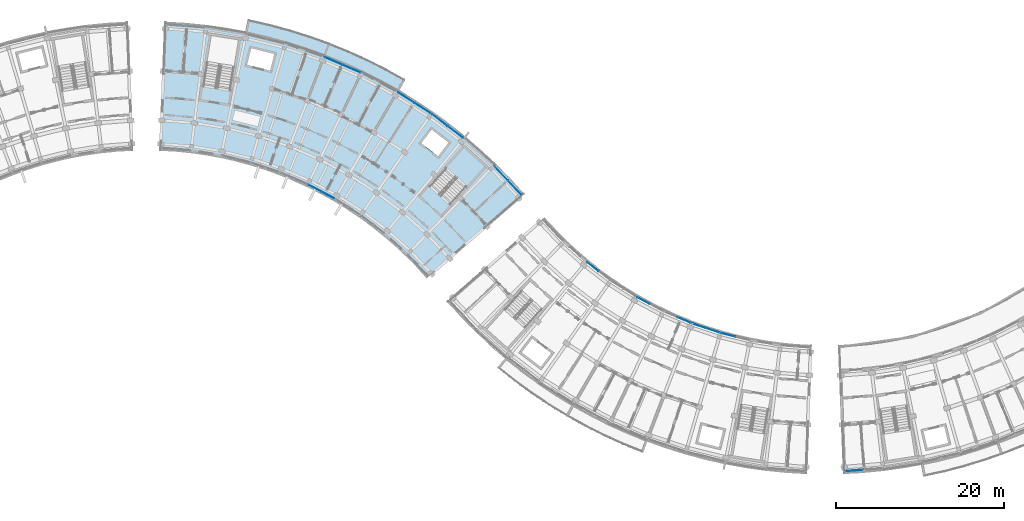
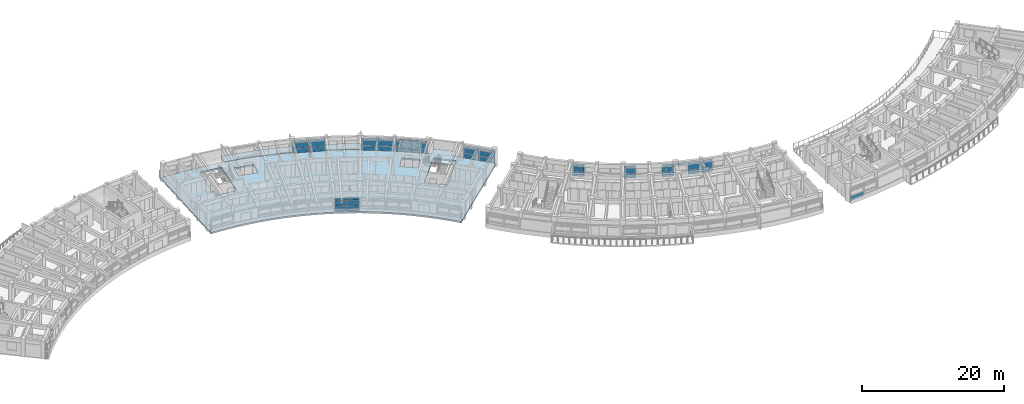
# One storey, part 24 of 54: 47 plates, 3 slabs, 12 elements without a shape of their own.
"""IFC4 building model written with IfcOpenShell, lengths in metres."""

import ifcopenshell
import ifcopenshell.guid

model = None  # the IFC model being written
_history = None  # IfcOwnerHistory: only IFC2X3 demands one
_inside = {}  # id of a spatial element -> (the spatial element, [elements in it])
_under = {}  # id of a project, library or spatial element -> (it, [spatial elements below it])
_declared = {}  # id of a project -> (the project, [libraries it declares])
_typed = {}  # id of a type object -> (the type object, [elements of that type])
_made_of = {}  # id of a material, layer set ... -> (it, [elements and type objects made of it])


def new_model(schema):
    """Start an empty IFC model of exactly this schema.

    Asked for "IFC4X3", IfcOpenShell would pick the latest addendum, in which some entities
    have other attributes; the version numbers below select the first issue.
    IFC2X3 requires an IfcOwnerHistory on every rooted entity: one is made here for all.
    """
    global model, _history
    if schema == "IFC4X3":
        model = ifcopenshell.file(schema_version=(4, 3, 0, 0))
    else:
        model = ifcopenshell.file(schema=schema)
    _inside.clear()
    _under.clear()
    _declared.clear()
    _typed.clear()
    _made_of.clear()
    _history = None
    if model.schema == "IFC2X3":
        org = make("IfcOrganization", Name="unknown")
        user = make(
            "IfcPersonAndOrganization",
            ThePerson=make("IfcPerson", FamilyName="unknown"),
            TheOrganization=org,
        )
        app = make(
            "IfcApplication",
            ApplicationDeveloper=org,
            Version="unknown",
            ApplicationFullName="unknown",
            ApplicationIdentifier="unknown",
        )
        _history = make(
            "IfcOwnerHistory",
            OwningUser=user,
            OwningApplication=app,
            ChangeAction="ADDED",
            CreationDate=0,
        )
    return model


def make(cls, **values):
    """One entity of the class cls with the attributes given. An attribute that is None is left unset."""
    return model.create_entity(
        cls, **{name: value for name, value in values.items() if value is not None}
    )


def rooted(cls, **values):
    """An entity with a GlobalId (a new one), such as an element, a storey or a relation."""
    return make(cls, GlobalId=ifcopenshell.guid.new(), OwnerHistory=_history, **values)


def si_unit(unit_type, name, prefix=None):
    """IfcSIUnit, for example si_unit("LENGTHUNIT", "METRE", prefix="MILLI")."""
    return make("IfcSIUnit", UnitType=unit_type, Prefix=prefix, Name=name)


def assignment(units):
    """IfcUnitAssignment: the units of a project."""
    return None if units is None else make("IfcUnitAssignment", Units=units)


def point(xyz):
    """IfcCartesianPoint."""
    return None if xyz is None else make("IfcCartesianPoint", Coordinates=xyz)


def direction(xyz):
    """IfcDirection."""
    return None if xyz is None else make("IfcDirection", DirectionRatios=xyz)


def frame(location, z_axis=None, x_axis=None):
    """IfcAxis2Placement3D, a coordinate frame: its origin and axes. An axis left out is left unset."""
    return make(
        "IfcAxis2Placement3D",
        Location=point(location),
        Axis=direction(z_axis),
        RefDirection=direction(x_axis),
    )


def frame_2d(location, x_axis=None):
    """IfcAxis2Placement2D, a coordinate frame in the plane: its origin and x axis."""
    return make(
        "IfcAxis2Placement2D", Location=point(location), RefDirection=direction(x_axis)
    )


def origin():
    """The frame at (0, 0, 0) with its axes left unset."""
    return frame((0.0, 0.0, 0.0))


def origin_2d():
    """The frame at (0, 0) in the plane with its x axis left unset."""
    return frame_2d((0.0, 0.0))


def place(relative_to, where):
    """IfcLocalPlacement: puts the frame where relative to a parent placement (None: the world)."""
    return make(
        "IfcLocalPlacement", PlacementRelTo=relative_to, RelativePlacement=where
    )


def context(
    kind, dimensions, precision=None, world=None, true_north=None, identifier=None
):
    """IfcGeometricRepresentationContext, for example the 3D "Model" context."""
    return make(
        "IfcGeometricRepresentationContext",
        ContextIdentifier=identifier,
        ContextType=kind,
        CoordinateSpaceDimension=dimensions,
        Precision=precision,
        WorldCoordinateSystem=world,
        TrueNorth=true_north,
    )


def subcontext(parent, identifier, kind, view, scale=None):
    """IfcGeometricRepresentationSubContext, for example "Body" below "Model"."""
    return make(
        "IfcGeometricRepresentationSubContext",
        ContextIdentifier=identifier,
        ContextType=kind,
        ParentContext=parent,
        TargetScale=scale,
        TargetView=view,
    )


def project(units=None, contexts=None):
    """IfcProject with its units and contexts."""
    return rooted(
        "IfcProject",
        Name="project",
        RepresentationContexts=contexts,
        UnitsInContext=assignment(units),
    )


def spatial(cls, under=None, at=None, **own):
    """A site, building, storey or space (cls), placed at a placement, below another one or the project."""
    s = rooted(cls, ObjectPlacement=at, **own)
    if under is not None:
        _under.setdefault(under.id(), (under, []))[1].append(s)
    return s


def polyline(points):
    """IfcPolyline through the points."""
    return make("IfcPolyline", Points=[point(p) for p in points])


def profile(cls, at=None, kind="AREA", **sizes):
    """A parametric profile (cls). Its sizes go by their IFC names, for example OverallWidth=200.0."""
    return make(cls, ProfileType=kind, Position=at, **sizes)


def rectangle(**sizes):
    """IfcRectangleProfileDef."""
    return profile("IfcRectangleProfileDef", **sizes)


def outline(outer, holes=None, kind="AREA"):
    """IfcArbitraryClosedProfileDef: a profile drawn as a closed curve; with holes, ...WithVoids."""
    if holes is None:
        return make("IfcArbitraryClosedProfileDef", ProfileType=kind, OuterCurve=outer)
    return make(
        "IfcArbitraryProfileDefWithVoids",
        ProfileType=kind,
        OuterCurve=outer,
        InnerCurves=holes,
    )


def extrude(swept, where, along, depth):
    """IfcExtrudedAreaSolid: the profile swept, set in the frame where, extruded along a direction by depth."""
    return make(
        "IfcExtrudedAreaSolid",
        SweptArea=swept,
        Position=where,
        ExtrudedDirection=direction(along),
        Depth=depth,
    )


def shape(context_of_items, identifier, shape_type, items):
    """IfcShapeRepresentation: the items that make up one representation, for example the "Body"."""
    return make(
        "IfcShapeRepresentation",
        ContextOfItems=context_of_items,
        RepresentationIdentifier=identifier,
        RepresentationType=shape_type,
        Items=items,
    )


def material(Name=None, Category=None):
    """IfcMaterial."""
    return make("IfcMaterial", Name=Name, Category=Category)


def layer(
    of_material, thickness, ventilated=None, Name=None, Category=None, Priority=None
):
    """IfcMaterialLayer: one layer of a wall or slab, of a material (None: an air gap)."""
    return make(
        "IfcMaterialLayer",
        Material=of_material,
        LayerThickness=thickness,
        IsVentilated=ventilated,
        Name=Name,
        Category=Category,
        Priority=Priority,
    )


def layer_set(layers, Name=None):
    """IfcMaterialLayerSet."""
    return make("IfcMaterialLayerSet", MaterialLayers=layers, LayerSetName=Name)


def made_of(thing, what):
    """Note that an element or type object is made of a material, layer set ...; save() writes the relation."""
    if what is not None:
        _made_of.setdefault(what.id(), (what, []))[1].append(thing)
    return thing


def type_object(cls, material=None, **own):
    """A type object (cls), such as IfcWallType, which elements share."""
    return made_of(rooted(cls, **own), material)


def element(
    cls,
    number,
    at=None,
    inside=None,
    cuts=None,
    type_object=None,
    material=None,
    context=None,
    identifier="Body",
    shape_type=None,
    held_by="IfcProductDefinitionShape",
    body=None,
    shapes=None,
    **own,
):
    """One element of the class cls, such as IfcWall. Its Tag is "e" and its number.

    at: its placement. inside: the storey or other place that contains it. cuts: it is an
    opening in that element (IfcRelVoidsElement). A single representation is given by context,
    identifier, shape_type and body (its items); several are given by shapes. held_by: the class
    of the entity that holds the representations. save() writes the other relations.
    """
    e = rooted(cls, Tag="e%d" % number, ObjectPlacement=at, **own)
    if body is not None:
        shapes = [shape(context, identifier, shape_type, body)]
    if shapes is not None:
        e.Representation = make(held_by, Representations=shapes)
    if inside is not None:
        _inside.setdefault(inside.id(), (inside, []))[1].append(e)
    if cuts is not None:
        rooted(
            "IfcRelVoidsElement", RelatingBuildingElement=cuts, RelatedOpeningElement=e
        )
    if type_object is not None:
        _typed.setdefault(type_object.id(), (type_object, []))[1].append(e)
    return made_of(e, material)


def aggregate(whole, parts):
    """IfcRelAggregates: a whole, such as a stair, and the parts it consists of."""
    return rooted("IfcRelAggregates", RelatingObject=whole, RelatedObjects=parts)


def save(model, path):
    """Write the relations noted so far, then the file.

    IfcRelAggregates (storeys below a building ...), IfcRelContainedInSpatialStructure (elements
    in a storey), IfcRelDefinesByType, IfcRelAssociatesMaterial and IfcRelDeclares: one each for
    every whole, place, type object, material and project.
    """
    for whole, parts in _under.values():
        aggregate(whole, parts)
    for where, things in _inside.values():
        rooted(
            "IfcRelContainedInSpatialStructure",
            RelatedElements=things,
            RelatingStructure=where,
        )
    for kind, things in _typed.values():
        rooted("IfcRelDefinesByType", RelatedObjects=things, RelatingType=kind)
    for what, things in _made_of.values():
        rooted("IfcRelAssociatesMaterial", RelatedObjects=things, RelatingMaterial=what)
    for by, libraries in _declared.values():
        rooted("IfcRelDeclares", RelatingContext=by, RelatedDefinitions=libraries)
    model.write(path)


model = new_model("IFC4")

# Units and contexts
model_context = context("Model", 3, precision=1e-05, world=origin(), true_north=direction((0.0, 1.0)))
body_context = subcontext(model_context, "Body", "Model", "MODEL_VIEW")
ifc_project = project(units=[si_unit("LENGTHUNIT", "METRE"), si_unit("AREAUNIT", "SQUARE_METRE"), si_unit("VOLUMEUNIT", "CUBIC_METRE"), si_unit("PLANEANGLEUNIT", "RADIAN"), si_unit("MASSUNIT", "GRAM", prefix="KILO")], contexts=[model_context])

# Site, building, storey
site_placement = place(None, origin())
site = spatial("IfcSite", under=ifc_project, at=site_placement, CompositionType="ELEMENT")
building_placement = place(site_placement, origin())
building = spatial("IfcBuilding", under=site, at=building_placement, Name="Zimvara Arc Housing Community", CompositionType="ELEMENT")
storey_placement = place(building_placement, frame((0.0, 0.0, 20.5)))
storey = spatial("IfcBuildingStorey", under=building, at=storey_placement, Name="L06", CompositionType="ELEMENT", Elevation=20.5)

# Curtain wall, plates
ifc_material_1 = material(Name="Anodised Aluminium AW-6063", Category="aluminium")
curtain_wall_type_1 = type_object("IfcCurtainWallType", Name="CW-SYS-08", PredefinedType="USERDEFINED", material=ifc_material_1)
curtain_wall_1_placement = place(storey_placement, origin())
curtain_wall_1 = element("IfcCurtainWall", 1, at=curtain_wall_1_placement, inside=storey, type_object=curtain_wall_type_1, Name="cw:blkB:L06:in:b5", ObjectType="CURTAIN WALL", PredefinedType="USERDEFINED")
ifc_material_2 = material(Name="Pale-Gold Anodised Aluminium Spandrel Panel", Category="aluminium")
ifc_layer_1 = layer(ifc_material_2, 0.035888671875)
ifc_layer_set_1 = layer_set([ifc_layer_1], Name="Pale-Gold Anodised Aluminium Spandrel Panel")
plate_type_1 = type_object("IfcPlateType", Name="CWP-GLD-36", PredefinedType="CURTAIN_PANEL", material=ifc_layer_set_1)
plate_1_placement = place(storey_placement, frame((65.125244140625, 84.291259765625, 0.06494140625), z_axis=(0.0, 0.0, 1.0), x_axis=(0.88343981815, -0.468544648573, 0.0)))
plate_1 = element("IfcPlate", 2, at=plate_1_placement, type_object=plate_type_1, Name="CW08 panel 1.1", PredefinedType="CURTAIN_PANEL", context=body_context, shape_type="SweptSolid", body=[
    extrude(rectangle(XDim=1.664306640625, YDim=0.035888671875, at=origin_2d()), origin(), (0.0, 0.0, 1.0), 0.75244140625),
])
plate_2_placement = place(storey_placement, frame((65.125244140625, 84.291259765625, 0.88232421875), z_axis=(0.0, 0.0, 1.0), x_axis=(0.88343981815, -0.468544648573, 0.0)))
plate_2 = element("IfcPlate", 3, at=plate_2_placement, type_object=plate_type_1, Name="CW08 panel 1.2", PredefinedType="CURTAIN_PANEL", context=body_context, shape_type="SweptSolid", body=[
    extrude(rectangle(XDim=1.664306640625, YDim=0.035888671875, at=origin_2d()), origin(), (0.0, 0.0, 1.0), 0.885009765625),
])
plate_3_placement = place(storey_placement, frame((65.125244140625, 84.291259765625, 1.83251953125), z_axis=(0.0, 0.0, 1.0), x_axis=(0.88343981815, -0.468544648573, 0.0)))
plate_3 = element("IfcPlate", 4, at=plate_3_placement, type_object=plate_type_1, Name="CW08 panel 1.3", PredefinedType="CURTAIN_PANEL", context=body_context, shape_type="SweptSolid", body=[
    extrude(rectangle(XDim=1.664306640625, YDim=0.035888671875, at=origin_2d()), origin(), (0.0, 0.0, 1.0), 0.3525390625),
])
plate_4_placement = place(storey_placement, frame((66.653076171875, 83.48095703125, 0.06494140625), z_axis=(0.0, 0.0, 1.0), x_axis=(0.88343981815, -0.468544648573, 0.0)))
plate_4 = element("IfcPlate", 5, at=plate_4_placement, type_object=plate_type_1, Name="CW08 panel 2.1", PredefinedType="CURTAIN_PANEL", context=body_context, shape_type="SweptSolid", body=[
    extrude(rectangle(XDim=1.664306640625, YDim=0.035888671875, at=origin_2d()), origin(), (0.0, 0.0, 1.0), 0.75244140625),
])
plate_5_placement = place(storey_placement, frame((66.653076171875, 83.48095703125, 0.88232421875), z_axis=(0.0, 0.0, 1.0), x_axis=(0.88343981815, -0.468544648573, 0.0)))
plate_5 = element("IfcPlate", 6, at=plate_5_placement, type_object=plate_type_1, Name="CW08 panel 2.2", PredefinedType="CURTAIN_PANEL", context=body_context, shape_type="SweptSolid", body=[
    extrude(rectangle(XDim=1.664306640625, YDim=0.035888671875, at=origin_2d()), origin(), (0.0, 0.0, 1.0), 0.885009765625),
])
plate_6_placement = place(storey_placement, frame((66.653076171875, 83.48095703125, 1.83251953125), z_axis=(0.0, 0.0, 1.0), x_axis=(0.88343981815, -0.468544648573, 0.0)))
plate_6 = element("IfcPlate", 7, at=plate_6_placement, type_object=plate_type_1, Name="CW08 panel 2.3", PredefinedType="CURTAIN_PANEL", context=body_context, shape_type="SweptSolid", body=[
    extrude(rectangle(XDim=1.664306640625, YDim=0.035888671875, at=origin_2d()), origin(), (0.0, 0.0, 1.0), 0.3525390625),
])
aggregate(curtain_wall_1, [plate_1, plate_2, plate_3, plate_4, plate_5, plate_6])

curtain_wall_2_placement = place(storey_placement, origin())
curtain_wall_2 = element("IfcCurtainWall", 8, at=curtain_wall_2_placement, inside=storey, type_object=curtain_wall_type_1, Name="cw:blkC:L06:in:b2", ObjectType="CURTAIN WALL", PredefinedType="USERDEFINED")
plate_7_placement = place(storey_placement, frame((98.275634765625, 74.91943359375, 0.06494140625), z_axis=(0.0, 0.0, 1.0), x_axis=(0.795473543119, -0.605988318533, 0.0)))
plate_7 = element("IfcPlate", 9, at=plate_7_placement, type_object=plate_type_1, Name="CW08 panel 1.1", PredefinedType="CURTAIN_PANEL", context=body_context, shape_type="SweptSolid", body=[
    extrude(rectangle(XDim=1.664306640625, YDim=0.035888671875, at=origin_2d()), origin(), (0.0, 0.0, 1.0), 0.75244140625),
])
plate_8_placement = place(storey_placement, frame((98.275634765625, 74.91943359375, 0.88232421875), z_axis=(0.0, 0.0, 1.0), x_axis=(0.795473543119, -0.605988318533, 0.0)))
plate_8 = element("IfcPlate", 10, at=plate_8_placement, type_object=plate_type_1, Name="CW08 panel 1.2", PredefinedType="CURTAIN_PANEL", context=body_context, shape_type="SweptSolid", body=[
    extrude(rectangle(XDim=1.664306640625, YDim=0.035888671875, at=origin_2d()), origin(), (0.0, 0.0, 1.0), 0.885009765625),
])
plate_9_placement = place(storey_placement, frame((98.275634765625, 74.91943359375, 1.83251953125), z_axis=(0.0, 0.0, 1.0), x_axis=(0.795473543119, -0.605988318533, 0.0)))
plate_9 = element("IfcPlate", 11, at=plate_9_placement, type_object=plate_type_1, Name="CW08 panel 1.3", PredefinedType="CURTAIN_PANEL", context=body_context, shape_type="SweptSolid", body=[
    extrude(rectangle(XDim=1.664306640625, YDim=0.035888671875, at=origin_2d()), origin(), (0.0, 0.0, 1.0), 0.3525390625),
])
aggregate(curtain_wall_2, [plate_7, plate_8, plate_9])

ifc_material_3 = material(Name="Anodised Aluminium AW-6063", Category="aluminium")
curtain_wall_type_2 = type_object("IfcCurtainWallType", Name="CW-SYS-04", PredefinedType="USERDEFINED", material=ifc_material_3)
curtain_wall_3_placement = place(storey_placement, origin())
curtain_wall_3 = element("IfcCurtainWall", 12, at=curtain_wall_3_placement, inside=storey, type_object=curtain_wall_type_2, Name="cw:blkC:L06:in:b5", ObjectType="CURTAIN WALL", PredefinedType="USERDEFINED")
plate_10_placement = place(storey_placement, frame((109.16845703125, 68.559326171875, 0.06494140625), z_axis=(0.0, 0.0, 1.0), x_axis=(0.918722178415, -0.394904493375, 0.0)))
plate_10 = element("IfcPlate", 13, at=plate_10_placement, type_object=plate_type_1, Name="CW04 panel 2.1", PredefinedType="CURTAIN_PANEL", context=body_context, shape_type="SweptSolid", body=[
    extrude(rectangle(XDim=1.664306640625, YDim=0.035888671875, at=origin_2d()), origin(), (0.0, 0.0, 1.0), 0.75244140625),
])
plate_11_placement = place(storey_placement, frame((109.16845703125, 68.559326171875, 0.88232421875), z_axis=(0.0, 0.0, 1.0), x_axis=(0.918722178415, -0.394904493375, 0.0)))
plate_11 = element("IfcPlate", 14, at=plate_11_placement, type_object=plate_type_1, Name="CW04 panel 2.2", PredefinedType="CURTAIN_PANEL", context=body_context, shape_type="SweptSolid", body=[
    extrude(rectangle(XDim=1.664306640625, YDim=0.035888671875, at=origin_2d()), origin(), (0.0, 0.0, 1.0), 0.885009765625),
])
plate_12_placement = place(storey_placement, frame((109.16845703125, 68.559326171875, 1.83251953125), z_axis=(0.0, 0.0, 1.0), x_axis=(0.918722178415, -0.394904493375, 0.0)))
plate_12 = element("IfcPlate", 15, at=plate_12_placement, type_object=plate_type_1, Name="CW04 panel 2.3", PredefinedType="CURTAIN_PANEL", context=body_context, shape_type="SweptSolid", body=[
    extrude(rectangle(XDim=1.664306640625, YDim=0.035888671875, at=origin_2d()), origin(), (0.0, 0.0, 1.0), 0.3525390625),
])
aggregate(curtain_wall_3, [plate_10, plate_11, plate_12])

curtain_wall_4_placement = place(storey_placement, origin())
curtain_wall_4 = element("IfcCurtainWall", 16, at=curtain_wall_4_placement, inside=storey, type_object=curtain_wall_type_1, Name="cw:blkC:L06:in:b7", ObjectType="CURTAIN WALL", PredefinedType="USERDEFINED")
plate_13_placement = place(storey_placement, frame((114.4306640625, 66.79052734375, 0.06494140625), z_axis=(0.0, 0.0, 1.0), x_axis=(0.970716537698, -0.240227815706, 0.0)))
plate_13 = element("IfcPlate", 17, at=plate_13_placement, type_object=plate_type_1, Name="CW08 panel 1.1", PredefinedType="CURTAIN_PANEL", context=body_context, shape_type="SweptSolid", body=[
    extrude(rectangle(XDim=1.664306640625, YDim=0.035888671875, at=origin_2d()), origin(), (0.0, 0.0, 1.0), 0.75244140625),
])
plate_14_placement = place(storey_placement, frame((114.4306640625, 66.79052734375, 0.88232421875), z_axis=(0.0, 0.0, 1.0), x_axis=(0.970716537698, -0.240227815706, 0.0)))
plate_14 = element("IfcPlate", 18, at=plate_14_placement, type_object=plate_type_1, Name="CW08 panel 1.2", PredefinedType="CURTAIN_PANEL", context=body_context, shape_type="SweptSolid", body=[
    extrude(rectangle(XDim=1.664306640625, YDim=0.035888671875, at=origin_2d()), origin(), (0.0, 0.0, 1.0), 0.885009765625),
])
plate_15_placement = place(storey_placement, frame((114.4306640625, 66.79052734375, 1.83251953125), z_axis=(0.0, 0.0, 1.0), x_axis=(0.970716537698, -0.240227815706, 0.0)))
plate_15 = element("IfcPlate", 19, at=plate_15_placement, type_object=plate_type_1, Name="CW08 panel 1.3", PredefinedType="CURTAIN_PANEL", context=body_context, shape_type="SweptSolid", body=[
    extrude(rectangle(XDim=1.664306640625, YDim=0.035888671875, at=origin_2d()), origin(), (0.0, 0.0, 1.0), 0.3525390625),
])
aggregate(curtain_wall_4, [plate_13, plate_14, plate_15])

ifc_material_4 = material(Name="Anodised Aluminium AW-6063", Category="aluminium")
curtain_wall_type_3 = type_object("IfcCurtainWallType", Name="CW-SYS-01", PredefinedType="USERDEFINED", material=ifc_material_4)
curtain_wall_5_placement = place(storey_placement, origin())
curtain_wall_5 = element("IfcCurtainWall", 20, at=curtain_wall_5_placement, inside=storey, type_object=curtain_wall_type_3, Name="cw:blkB:L06:out:b6", ObjectType="CURTAIN WALL", PredefinedType="USERDEFINED")
ifc_material_5 = material(Name="Solar Control Low-E Double Glazing", Category="glass")
ifc_layer_2 = layer(ifc_material_5, 0.02392578125)
ifc_layer_set_2 = layer_set([ifc_layer_2], Name="Solar Control Low-E Double Glazing")
plate_type_2 = type_object("IfcPlateType", Name="CWP-GLZ-24", PredefinedType="CURTAIN_PANEL", material=ifc_layer_set_2)
plate_16_placement = place(storey_placement, frame((76.0009765625, 95.1005859375, 0.06494140625), z_axis=(0.0, 0.0, 1.0), x_axis=(0.842264410931, -0.539064617721, 0.0)))
plate_16 = element("IfcPlate", 21, at=plate_16_placement, type_object=plate_type_2, Name="CW01 panel 1.1", PredefinedType="CURTAIN_PANEL", context=body_context, shape_type="SweptSolid", body=[
    extrude(rectangle(XDim=2.266845703125, YDim=0.02392578125, at=origin_2d()), origin(), (0.0, 0.0, 1.0), 0.75244140625),
])
plate_17_placement = place(storey_placement, frame((76.0009765625, 95.1005859375, 0.88232421875), z_axis=(0.0, 0.0, 1.0), x_axis=(0.842264410931, -0.539064617721, 0.0)))
plate_17 = element("IfcPlate", 22, at=plate_17_placement, type_object=plate_type_2, Name="CW01 panel 1.2", PredefinedType="CURTAIN_PANEL", context=body_context, shape_type="SweptSolid", body=[
    extrude(rectangle(XDim=2.266845703125, YDim=0.02392578125, at=origin_2d()), origin(), (0.0, 0.0, 1.0), 0.885009765625),
])
plate_18_placement = place(storey_placement, frame((76.0009765625, 95.1005859375, 1.83251953125), z_axis=(0.0, 0.0, 1.0), x_axis=(0.842264410931, -0.539064617721, 0.0)))
plate_18 = element("IfcPlate", 23, at=plate_18_placement, type_object=plate_type_2, Name="CW01 panel 1.3", PredefinedType="CURTAIN_PANEL", context=body_context, shape_type="SweptSolid", body=[
    extrude(rectangle(XDim=2.266845703125, YDim=0.02392578125, at=origin_2d()), origin(), (0.0, 0.0, 1.0), 0.3525390625),
])
plate_19_placement = place(storey_placement, frame((77.965087890625, 93.843505859375, 0.06494140625), z_axis=(0.0, 0.0, 1.0), x_axis=(0.842264410931, -0.539064617721, 0.0)))
plate_19 = element("IfcPlate", 24, at=plate_19_placement, type_object=plate_type_2, Name="CW01 panel 2.1", PredefinedType="CURTAIN_PANEL", context=body_context, shape_type="SweptSolid", body=[
    extrude(rectangle(XDim=2.266845703125, YDim=0.02392578125, at=origin_2d()), origin(), (0.0, 0.0, 1.0), 0.75244140625),
])
plate_20_placement = place(storey_placement, frame((77.965087890625, 93.843505859375, 0.88232421875), z_axis=(0.0, 0.0, 1.0), x_axis=(0.842264410931, -0.539064617721, 0.0)))
plate_20 = element("IfcPlate", 25, at=plate_20_placement, type_object=plate_type_2, Name="CW01 panel 2.2", PredefinedType="CURTAIN_PANEL", context=body_context, shape_type="SweptSolid", body=[
    extrude(rectangle(XDim=2.266845703125, YDim=0.02392578125, at=origin_2d()), origin(), (0.0, 0.0, 1.0), 0.885009765625),
])
plate_21_placement = place(storey_placement, frame((77.965087890625, 93.843505859375, 1.83251953125), z_axis=(0.0, 0.0, 1.0), x_axis=(0.842264410931, -0.539064617721, 0.0)))
plate_21 = element("IfcPlate", 26, at=plate_21_placement, type_object=plate_type_2, Name="CW01 panel 2.3", PredefinedType="CURTAIN_PANEL", context=body_context, shape_type="SweptSolid", body=[
    extrude(rectangle(XDim=2.266845703125, YDim=0.02392578125, at=origin_2d()), origin(), (0.0, 0.0, 1.0), 0.3525390625),
])
aggregate(curtain_wall_5, [plate_16, plate_17, plate_18, plate_19, plate_20, plate_21])

ifc_material_6 = material(Name="Anodised Aluminium AW-6063", Category="aluminium")
curtain_wall_type_4 = type_object("IfcCurtainWallType", Name="CW-SYS-05", PredefinedType="USERDEFINED", material=ifc_material_6)
curtain_wall_6_placement = place(storey_placement, origin())
curtain_wall_6 = element("IfcCurtainWall", 27, at=curtain_wall_6_placement, inside=storey, type_object=curtain_wall_type_4, Name="cw:blkB:L06:out:b9", ObjectType="CURTAIN WALL", PredefinedType="USERDEFINED")
plate_22_placement = place(storey_placement, frame((87.350341796875, 86.068115234375, 0.06494140625), z_axis=(0.0, 0.0, 1.0), x_axis=(0.686326416495, -0.727293647725, 0.0)))
plate_22 = element("IfcPlate", 28, at=plate_22_placement, type_object=plate_type_2, Name="CW05 panel 1.1", PredefinedType="CURTAIN_PANEL", context=body_context, shape_type="SweptSolid", body=[
    extrude(rectangle(XDim=2.266845703125, YDim=0.02392578125, at=origin_2d()), origin(), (0.0, 0.0, 1.0), 0.75244140625),
])
plate_23_placement = place(storey_placement, frame((87.350341796875, 86.068115234375, 0.88232421875), z_axis=(0.0, 0.0, 1.0), x_axis=(0.686326416495, -0.727293647725, 0.0)))
plate_23 = element("IfcPlate", 29, at=plate_23_placement, type_object=plate_type_2, Name="CW05 panel 1.2", PredefinedType="CURTAIN_PANEL", context=body_context, shape_type="SweptSolid", body=[
    extrude(rectangle(XDim=2.266845703125, YDim=0.02392578125, at=origin_2d()), origin(), (0.0, 0.0, 1.0), 0.885009765625),
])
plate_24_placement = place(storey_placement, frame((87.350341796875, 86.068115234375, 1.83251953125), z_axis=(0.0, 0.0, 1.0), x_axis=(0.686326416495, -0.727293647725, 0.0)))
plate_24 = element("IfcPlate", 30, at=plate_24_placement, type_object=plate_type_2, Name="CW05 panel 1.3", PredefinedType="CURTAIN_PANEL", context=body_context, shape_type="SweptSolid", body=[
    extrude(rectangle(XDim=2.266845703125, YDim=0.02392578125, at=origin_2d()), origin(), (0.0, 0.0, 1.0), 0.3525390625),
])
plate_25_placement = place(storey_placement, frame((88.950927734375, 84.3720703125, 0.06494140625), z_axis=(0.0, 0.0, 1.0), x_axis=(0.686326416495, -0.727293647725, 0.0)))
plate_25 = element("IfcPlate", 31, at=plate_25_placement, type_object=plate_type_2, Name="CW05 panel 2.1", PredefinedType="CURTAIN_PANEL", context=body_context, shape_type="SweptSolid", body=[
    extrude(rectangle(XDim=2.266845703125, YDim=0.02392578125, at=origin_2d()), origin(), (0.0, 0.0, 1.0), 0.75244140625),
])
plate_26_placement = place(storey_placement, frame((88.950927734375, 84.3720703125, 0.88232421875), z_axis=(0.0, 0.0, 1.0), x_axis=(0.686326416495, -0.727293647725, 0.0)))
plate_26 = element("IfcPlate", 32, at=plate_26_placement, type_object=plate_type_2, Name="CW05 panel 2.2", PredefinedType="CURTAIN_PANEL", context=body_context, shape_type="SweptSolid", body=[
    extrude(rectangle(XDim=2.266845703125, YDim=0.02392578125, at=origin_2d()), origin(), (0.0, 0.0, 1.0), 0.885009765625),
])
plate_27_placement = place(storey_placement, frame((88.950927734375, 84.3720703125, 1.83251953125), z_axis=(0.0, 0.0, 1.0), x_axis=(0.686326416495, -0.727293647725, 0.0)))
plate_27 = element("IfcPlate", 33, at=plate_27_placement, type_object=plate_type_2, Name="CW05 panel 2.3", PredefinedType="CURTAIN_PANEL", context=body_context, shape_type="SweptSolid", body=[
    extrude(rectangle(XDim=2.266845703125, YDim=0.02392578125, at=origin_2d()), origin(), (0.0, 0.0, 1.0), 0.3525390625),
])
aggregate(curtain_wall_6, [plate_22, plate_23, plate_24, plate_25, plate_26, plate_27])

# Curtain wall, plate
curtain_wall_7_placement = place(storey_placement, origin())
curtain_wall_7 = element("IfcCurtainWall", 34, at=curtain_wall_7_placement, inside=storey, type_object=curtain_wall_type_4, Name="cw:blkD:L06:out:b0", ObjectType="CURTAIN WALL", PredefinedType="USERDEFINED")
plate_28_placement = place(storey_placement, frame((129.4677734375, 50.61767578125, 0.06494140625), z_axis=(0.0, 0.0, 1.0), x_axis=(0.996985387849, 0.077589538059, 0.0)))
plate_28 = element("IfcPlate", 35, at=plate_28_placement, type_object=plate_type_2, Name="CW05 panel 1.1", PredefinedType="CURTAIN_PANEL", context=body_context, shape_type="SweptSolid", body=[
    extrude(rectangle(XDim=2.173828125, YDim=0.02392578125, at=origin_2d()), origin(), (0.0, 0.0, 1.0), 0.75244140625),
])
aggregate(curtain_wall_7, [plate_28])

# Curtain wall, plates
ifc_material_7 = material(Name="Anodised Aluminium AW-6063", Category="aluminium")
curtain_wall_type_5 = type_object("IfcCurtainWallType", Name="CW-SYS-06", PredefinedType="USERDEFINED", material=ifc_material_7)
curtain_wall_8_placement = place(storey_placement, origin())
curtain_wall_8 = element("IfcCurtainWall", 36, at=curtain_wall_8_placement, inside=storey, type_object=curtain_wall_type_5, Name="cw:blkB:L06:out:b4", ObjectType="CURTAIN WALL", PredefinedType="USERDEFINED")
ifc_material_8 = material(Name="Solar Control Low-E Double Glazing", Category="glass")
ifc_layer_3 = layer(ifc_material_8, 0.028076171875)
ifc_layer_set_3 = layer_set([ifc_layer_3], Name="Solar Control Low-E Double Glazing")
plate_type_3 = type_object("IfcPlateType", Name="CWP-GLZ-28", PredefinedType="CURTAIN_PANEL", material=ifc_layer_set_3)
plate_29_placement = place(storey_placement, frame((67.358642578125, 99.46875, 0.06494140625), z_axis=(0.0, 0.0, 1.0), x_axis=(0.918722299363, -0.394904211998, 0.0)))
plate_29 = element("IfcPlate", 37, at=plate_29_placement, type_object=plate_type_3, Name="CW06 panel 1.1", PredefinedType="CURTAIN_PANEL", context=body_context, shape_type="SweptSolid", body=[
    extrude(rectangle(XDim=2.266845703125, YDim=0.028076171875, at=origin_2d()), origin(), (0.0, 0.0, 1.0), 0.75244140625),
])
plate_30_placement = place(storey_placement, frame((67.358642578125, 99.46875, 0.88232421875), z_axis=(0.0, 0.0, 1.0), x_axis=(0.918722299363, -0.394904211998, 0.0)))
plate_30 = element("IfcPlate", 38, at=plate_30_placement, type_object=plate_type_3, Name="CW06 panel 1.2", PredefinedType="CURTAIN_PANEL", context=body_context, shape_type="SweptSolid", body=[
    extrude(rectangle(XDim=2.266845703125, YDim=0.028076171875, at=origin_2d()), origin(), (0.0, 0.0, 1.0), 0.885009765625),
])
plate_31_placement = place(storey_placement, frame((67.358642578125, 99.46875, 1.83251953125), z_axis=(0.0, 0.0, 1.0), x_axis=(0.918722299363, -0.394904211998, 0.0)))
plate_31 = element("IfcPlate", 39, at=plate_31_placement, type_object=plate_type_3, Name="CW06 panel 1.3", PredefinedType="CURTAIN_PANEL", context=body_context, shape_type="SweptSolid", body=[
    extrude(rectangle(XDim=2.266845703125, YDim=0.028076171875, at=origin_2d()), origin(), (0.0, 0.0, 1.0), 0.3525390625),
])
plate_32_placement = place(storey_placement, frame((69.5009765625, 98.5478515625, 0.06494140625), z_axis=(0.0, 0.0, 1.0), x_axis=(0.918722299363, -0.394904211998, 0.0)))
plate_32 = element("IfcPlate", 40, at=plate_32_placement, type_object=plate_type_3, Name="CW06 panel 2.1", PredefinedType="CURTAIN_PANEL", context=body_context, shape_type="SweptSolid", body=[
    extrude(rectangle(XDim=2.266845703125, YDim=0.028076171875, at=origin_2d()), origin(), (0.0, 0.0, 1.0), 0.75244140625),
])
plate_33_placement = place(storey_placement, frame((69.5009765625, 98.5478515625, 0.88232421875), z_axis=(0.0, 0.0, 1.0), x_axis=(0.918722299363, -0.394904211998, 0.0)))
plate_33 = element("IfcPlate", 41, at=plate_33_placement, type_object=plate_type_3, Name="CW06 panel 2.2", PredefinedType="CURTAIN_PANEL", context=body_context, shape_type="SweptSolid", body=[
    extrude(rectangle(XDim=2.266845703125, YDim=0.028076171875, at=origin_2d()), origin(), (0.0, 0.0, 1.0), 0.885009765625),
])
plate_34_placement = place(storey_placement, frame((69.5009765625, 98.5478515625, 1.83251953125), z_axis=(0.0, 0.0, 1.0), x_axis=(0.918722299363, -0.394904211998, 0.0)))
plate_34 = element("IfcPlate", 42, at=plate_34_placement, type_object=plate_type_3, Name="CW06 panel 2.3", PredefinedType="CURTAIN_PANEL", context=body_context, shape_type="SweptSolid", body=[
    extrude(rectangle(XDim=2.266845703125, YDim=0.028076171875, at=origin_2d()), origin(), (0.0, 0.0, 1.0), 0.3525390625),
])
aggregate(curtain_wall_8, [plate_29, plate_30, plate_31, plate_32, plate_33, plate_34])

curtain_wall_9_placement = place(storey_placement, origin())
curtain_wall_9 = element("IfcCurtainWall", 43, at=curtain_wall_9_placement, inside=storey, type_object=curtain_wall_type_5, Name="cw:blkC:L06:in:b6", ObjectType="CURTAIN WALL", PredefinedType="USERDEFINED")
plate_35_placement = place(storey_placement, frame((110.955078125, 67.87646484375, 1.83251953125), z_axis=(0.0, 0.0, 1.0), x_axis=(0.94787908732, -0.318630249383, 0.0)))
plate_35 = element("IfcPlate", 44, at=plate_35_placement, type_object=plate_type_3, Name="CW06 panel 1.3", PredefinedType="CURTAIN_PANEL", context=body_context, shape_type="SweptSolid", body=[
    extrude(rectangle(XDim=1.664306640625, YDim=0.028076171875, at=origin_2d()), origin(), (0.0, 0.0, 1.0), 0.3525390625),
])
plate_36_placement = place(storey_placement, frame((112.59423828125, 67.325439453125, 0.06494140625), z_axis=(0.0, 0.0, 1.0), x_axis=(0.94787908732, -0.318630249383, 0.0)))
plate_36 = element("IfcPlate", 45, at=plate_36_placement, type_object=plate_type_3, Name="CW06 panel 2.1", PredefinedType="CURTAIN_PANEL", context=body_context, shape_type="SweptSolid", body=[
    extrude(rectangle(XDim=1.664306640625, YDim=0.028076171875, at=origin_2d()), origin(), (0.0, 0.0, 1.0), 0.75244140625),
])
plate_37_placement = place(storey_placement, frame((112.59423828125, 67.325439453125, 0.88232421875), z_axis=(0.0, 0.0, 1.0), x_axis=(0.94787908732, -0.318630249383, 0.0)))
plate_37 = element("IfcPlate", 46, at=plate_37_placement, type_object=plate_type_3, Name="CW06 panel 2.2", PredefinedType="CURTAIN_PANEL", context=body_context, shape_type="SweptSolid", body=[
    extrude(rectangle(XDim=1.664306640625, YDim=0.028076171875, at=origin_2d()), origin(), (0.0, 0.0, 1.0), 0.885009765625),
])
plate_38_placement = place(storey_placement, frame((112.59423828125, 67.325439453125, 1.83251953125), z_axis=(0.0, 0.0, 1.0), x_axis=(0.94787908732, -0.318630249383, 0.0)))
plate_38 = element("IfcPlate", 47, at=plate_38_placement, type_object=plate_type_3, Name="CW06 panel 2.3", PredefinedType="CURTAIN_PANEL", context=body_context, shape_type="SweptSolid", body=[
    extrude(rectangle(XDim=1.664306640625, YDim=0.028076171875, at=origin_2d()), origin(), (0.0, 0.0, 1.0), 0.3525390625),
])
aggregate(curtain_wall_9, [plate_35, plate_36, plate_37, plate_38])

ifc_material_9 = material(Name="Anodised Aluminium AW-6063", Category="aluminium")
curtain_wall_type_6 = type_object("IfcCurtainWallType", Name="CW-SYS-03", PredefinedType="USERDEFINED", material=ifc_material_9)
curtain_wall_10_placement = place(storey_placement, origin())
curtain_wall_10 = element("IfcCurtainWall", 48, at=curtain_wall_10_placement, inside=storey, type_object=curtain_wall_type_6, Name="cw:blkB:L06:out:b7", ObjectType="CURTAIN WALL", PredefinedType="USERDEFINED")
ifc_material_10 = material(Name="Acoustic Laminated Solar Glazing", Category="glass")
ifc_layer_4 = layer(ifc_material_10, 0.031982421875)
ifc_layer_set_4 = layer_set([ifc_layer_4], Name="Acoustic Laminated Solar Glazing")
plate_type_4 = type_object("IfcPlateType", Name="CWP-GLZ-32", PredefinedType="CURTAIN_PANEL", material=ifc_layer_set_4)
plate_39_placement = place(storey_placement, frame((80.026123046875, 92.40234375, 0.06494140625), z_axis=(0.0, 0.0, 1.0), x_axis=(0.795473999177, -0.60598771987, 0.0)))
plate_39 = element("IfcPlate", 49, at=plate_39_placement, type_object=plate_type_4, Name="CW03 panel 1.1", PredefinedType="CURTAIN_PANEL", context=body_context, shape_type="SweptSolid", body=[
    extrude(rectangle(XDim=2.266845703125, YDim=0.031982421875, at=origin_2d()), origin(), (0.0, 0.0, 1.0), 0.75244140625),
])
plate_40_placement = place(storey_placement, frame((80.026123046875, 92.40234375, 0.88232421875), z_axis=(0.0, 0.0, 1.0), x_axis=(0.795473999177, -0.60598771987, 0.0)))
plate_40 = element("IfcPlate", 50, at=plate_40_placement, type_object=plate_type_4, Name="CW03 panel 1.2", PredefinedType="CURTAIN_PANEL", context=body_context, shape_type="SweptSolid", body=[
    extrude(rectangle(XDim=2.266845703125, YDim=0.031982421875, at=origin_2d()), origin(), (0.0, 0.0, 1.0), 0.885009765625),
])
plate_41_placement = place(storey_placement, frame((80.026123046875, 92.40234375, 1.83251953125), z_axis=(0.0, 0.0, 1.0), x_axis=(0.795473999177, -0.60598771987, 0.0)))
plate_41 = element("IfcPlate", 51, at=plate_41_placement, type_object=plate_type_4, Name="CW03 panel 1.3", PredefinedType="CURTAIN_PANEL", context=body_context, shape_type="SweptSolid", body=[
    extrude(rectangle(XDim=2.266845703125, YDim=0.031982421875, at=origin_2d()), origin(), (0.0, 0.0, 1.0), 0.3525390625),
])
plate_42_placement = place(storey_placement, frame((81.881103515625, 90.9892578125, 0.06494140625), z_axis=(0.0, 0.0, 1.0), x_axis=(0.795473999177, -0.60598771987, 0.0)))
plate_42 = element("IfcPlate", 52, at=plate_42_placement, type_object=plate_type_4, Name="CW03 panel 2.1", PredefinedType="CURTAIN_PANEL", context=body_context, shape_type="SweptSolid", body=[
    extrude(rectangle(XDim=2.266845703125, YDim=0.031982421875, at=origin_2d()), origin(), (0.0, 0.0, 1.0), 0.75244140625),
])
plate_43_placement = place(storey_placement, frame((81.881103515625, 90.9892578125, 0.88232421875), z_axis=(0.0, 0.0, 1.0), x_axis=(0.795473999177, -0.60598771987, 0.0)))
plate_43 = element("IfcPlate", 53, at=plate_43_placement, type_object=plate_type_4, Name="CW03 panel 2.2", PredefinedType="CURTAIN_PANEL", context=body_context, shape_type="SweptSolid", body=[
    extrude(rectangle(XDim=2.266845703125, YDim=0.031982421875, at=origin_2d()), origin(), (0.0, 0.0, 1.0), 0.885009765625),
])
plate_44_placement = place(storey_placement, frame((81.881103515625, 90.9892578125, 1.83251953125), z_axis=(0.0, 0.0, 1.0), x_axis=(0.795473999177, -0.60598771987, 0.0)))
plate_44 = element("IfcPlate", 54, at=plate_44_placement, type_object=plate_type_4, Name="CW03 panel 2.3", PredefinedType="CURTAIN_PANEL", context=body_context, shape_type="SweptSolid", body=[
    extrude(rectangle(XDim=2.266845703125, YDim=0.031982421875, at=origin_2d()), origin(), (0.0, 0.0, 1.0), 0.3525390625),
])
aggregate(curtain_wall_10, [plate_39, plate_40, plate_41, plate_42, plate_43, plate_44])

curtain_wall_11_placement = place(storey_placement, origin())
curtain_wall_11 = element("IfcCurtainWall", 55, at=curtain_wall_11_placement, inside=storey, type_object=curtain_wall_type_6, Name="cw:blkC:L06:in:b4", ObjectType="CURTAIN WALL", PredefinedType="USERDEFINED")
plate_45_placement = place(storey_placement, frame((104.326904296875, 70.87890625, 0.06494140625), z_axis=(0.0, 0.0, 1.0), x_axis=(0.88343981815, -0.468544648573, 0.0)))
plate_45 = element("IfcPlate", 56, at=plate_45_placement, type_object=plate_type_4, Name="CW03 panel 1.1", PredefinedType="CURTAIN_PANEL", context=body_context, shape_type="SweptSolid", body=[
    extrude(rectangle(XDim=1.664306640625, YDim=0.031982421875, at=origin_2d()), origin(), (0.0, 0.0, 1.0), 0.75244140625),
])
plate_46_placement = place(storey_placement, frame((104.326904296875, 70.87890625, 0.88232421875), z_axis=(0.0, 0.0, 1.0), x_axis=(0.88343981815, -0.468544648573, 0.0)))
plate_46 = element("IfcPlate", 57, at=plate_46_placement, type_object=plate_type_4, Name="CW03 panel 1.2", PredefinedType="CURTAIN_PANEL", context=body_context, shape_type="SweptSolid", body=[
    extrude(rectangle(XDim=1.664306640625, YDim=0.031982421875, at=origin_2d()), origin(), (0.0, 0.0, 1.0), 0.885009765625),
])
plate_47_placement = place(storey_placement, frame((104.326904296875, 70.87890625, 1.83251953125), z_axis=(0.0, 0.0, 1.0), x_axis=(0.88343981815, -0.468544648573, 0.0)))
plate_47 = element("IfcPlate", 58, at=plate_47_placement, type_object=plate_type_4, Name="CW03 panel 1.3", PredefinedType="CURTAIN_PANEL", context=body_context, shape_type="SweptSolid", body=[
    extrude(rectangle(XDim=1.664306640625, YDim=0.031982421875, at=origin_2d()), origin(), (0.0, 0.0, 1.0), 0.3525390625),
])
aggregate(curtain_wall_11, [plate_45, plate_46, plate_47])

# Stair, slab
ifc_material_11 = material(Name="Concrete C35/45", Category="concrete")
stair_type = type_object("IfcStairType", Name="STR-DL-318-310", PredefinedType="HALF_TURN_STAIR", material=ifc_material_11)
stair_placement = place(storey_placement, origin())
stair = element("IfcStair", 59, at=stair_placement, inside=storey, type_object=stair_type, Name="L06 Block B Exit Stair 2", PredefinedType="HALF_TURN_STAIR")
ifc_material_12 = material(Name="Concrete C35/45", Category="concrete")
ifc_layer_5 = layer(ifc_material_12, 0.199951171875)
ifc_layer_set_5 = layer_set([ifc_layer_5], Name="Concrete C35/45")
slab_type_1 = type_object("IfcSlabType", Name="SLB-STAIR-LND-200", PredefinedType="LANDING", material=ifc_layer_set_5)
slab_1_placement = place(storey_placement, frame((0.0, 0.0, 1.35009765625)))
slab_1 = element("IfcSlab", 60, at=slab_1_placement, type_object=slab_type_1, Name="ST-B2 landing 1", PredefinedType="LANDING", context=body_context, shape_type="SweptSolid", body=[
    extrude(outline(polyline([(83.185302734375, 84.42724609375), (85.404541015625, 86.8935546875), (82.90673828125, 89.14111328125), (80.6875, 86.674560546875), (83.185302734375, 84.42724609375)])), origin(), (0.0, 0.0, 1.0), 0.199951171875),
])
aggregate(stair, [slab_1])

# Slabs
ifc_material_13 = material(Name="Concrete C35/45", Category="concrete")
ifc_layer_6 = layer(ifc_material_13, 0.2099609375)
ifc_layer_set_6 = layer_set([ifc_layer_6], Name="Concrete C35/45")
slab_type_2 = type_object("IfcSlabType", Name="SLB-TER-210", PredefinedType="FLOOR", material=ifc_layer_set_6)
slab_2_placement = place(storey_placement, frame((0.0, 0.0, -0.2099609375)))
element("IfcSlab", 61, at=slab_2_placement, inside=storey, type_object=slab_type_2, Name="slab:blkB:L06:bal_out", PredefinedType="FLOOR", context=body_context, shape_type="SweptSolid", body=[
    extrude(outline(polyline([(57.244140625, 104.360595703125), (56.949462890625, 102.92041015625), (56.9501953125, 102.92041015625), (59.32421875, 102.384033203125), (59.325439453125, 102.3837890625), (61.675537109375, 101.750732421875), (61.6767578125, 101.75048828125), (63.999267578125, 101.022216796875), (64.00048828125, 101.02197265625), (66.291259765625, 100.199462890625), (66.292236328125, 100.198974609375), (68.547607421875, 99.28369140625), (68.548583984375, 99.283203125), (70.7646484375, 98.276611328125), (70.765869140625, 98.27587890625), (72.93896484375, 97.1796875), (72.93994140625, 97.17919921875), (75.06640625, 95.9951171875), (75.06689453125, 95.994873046875), (75.80810546875, 97.26416015625), (74.724365234375, 97.88232421875), (73.628173828125, 98.47802734375), (72.52001953125, 99.051513671875), (71.400390625, 99.60205078125), (70.269775390625, 100.129638671875), (69.128662109375, 100.634033203125), (67.9775390625, 101.114990234375), (66.816650390625, 101.572265625), (65.646728515625, 102.005859375), (64.46826171875, 102.41552734375), (63.281494140625, 102.80078125), (62.08740234375, 103.162109375), (60.885986328125, 103.498779296875), (59.677978515625, 103.810791015625), (58.4638671875, 104.09814453125), (57.244140625, 104.360595703125)])), origin(), (0.0, 0.0, 1.0), 0.2099609375),
])
ifc_material_14 = material(Name="Concrete C35/45", Category="concrete")
ifc_layer_7 = layer(ifc_material_14, 0.258056640625)
ifc_layer_set_7 = layer_set([ifc_layer_7], Name="Concrete C35/45")
slab_type_3 = type_object("IfcSlabType", Name="SLB-VAR-10", PredefinedType="FLOOR", material=ifc_layer_set_7)
slab_3_placement = place(storey_placement, frame((0.0, 0.0, -0.258056640625)))
element("IfcSlab", 62, at=slab_3_placement, inside=storey, type_object=slab_type_3, Name="slab:blkB:L06:main", PredefinedType="FLOOR", context=body_context, shape_type="SweptSolid", body=[
    extrude(outline(polyline([(46.704345703125, 88.8671875), (48.514404296875, 88.7607421875), (50.318603515625, 88.580322265625), (52.114013671875, 88.326416015625), (53.8974609375, 87.999267578125), (55.666015625, 87.599853515625), (57.4169921875, 87.12841796875), (59.147216796875, 86.5859375), (60.853759765625, 85.97314453125), (62.53369140625, 85.291259765625), (64.1845703125, 84.541259765625), (65.803466796875, 83.724609375), (67.3876953125, 82.842529296875), (68.9345703125, 81.896484375), (70.44140625, 80.88818359375), (71.90576171875, 79.819091796875), (73.325439453125, 78.69091796875), (74.697998046875, 77.506103515625), (76.020751953125, 76.265869140625), (77.291748046875, 74.972900390625), (78.509033203125, 73.62890625), (89.980712890625, 83.60107421875), (88.3466796875, 85.405029296875), (86.640380859375, 87.140869140625), (84.86474609375, 88.805419921875), (83.0224609375, 90.39599609375), (81.116943359375, 91.91015625), (79.151123046875, 93.34521484375), (77.128173828125, 94.698974609375), (75.052001953125, 95.96875), (72.92529296875, 97.15283203125), (70.752197265625, 98.249267578125), (68.536376953125, 99.255859375), (66.281005859375, 100.171142578125), (63.990234375, 100.99365234375), (61.667724609375, 101.721923828125), (59.317626953125, 102.354736328125), (56.943359375, 102.89111328125), (54.549560546875, 103.330078125), (52.139404296875, 103.6708984375), (49.717529296875, 103.9130859375), (47.287841796875, 104.05615234375), (46.704345703125, 88.8671875)]), holes=[polyline([(51.777099609375, 96.48583984375), (52.75439453125, 102.507080078125), (55.991943359375, 101.9814453125), (55.0146484375, 95.960205078125), (51.777099609375, 96.48583984375)]), polyline([(78.82958984375, 84.550048828125), (82.909912109375, 89.08447265625), (85.34814453125, 86.890625), (81.26806640625, 82.356201171875), (78.82958984375, 84.550048828125)]), polyline([(57.0263671875, 99.007080078125), (57.516357421875, 100.9873046875), (60.273193359375, 100.30517578125), (59.783203125, 98.324951171875), (57.0263671875, 99.007080078125)]), polyline([(77.803955078125, 89.656982421875), (79.0400390625, 91.27978515625), (81.060546875, 89.740478515625), (79.824462890625, 88.117919921875), (77.803955078125, 89.656982421875)])]), origin(), (0.0, 0.0, 1.0), 0.258056640625),
])

save(model, "model.ifc")
